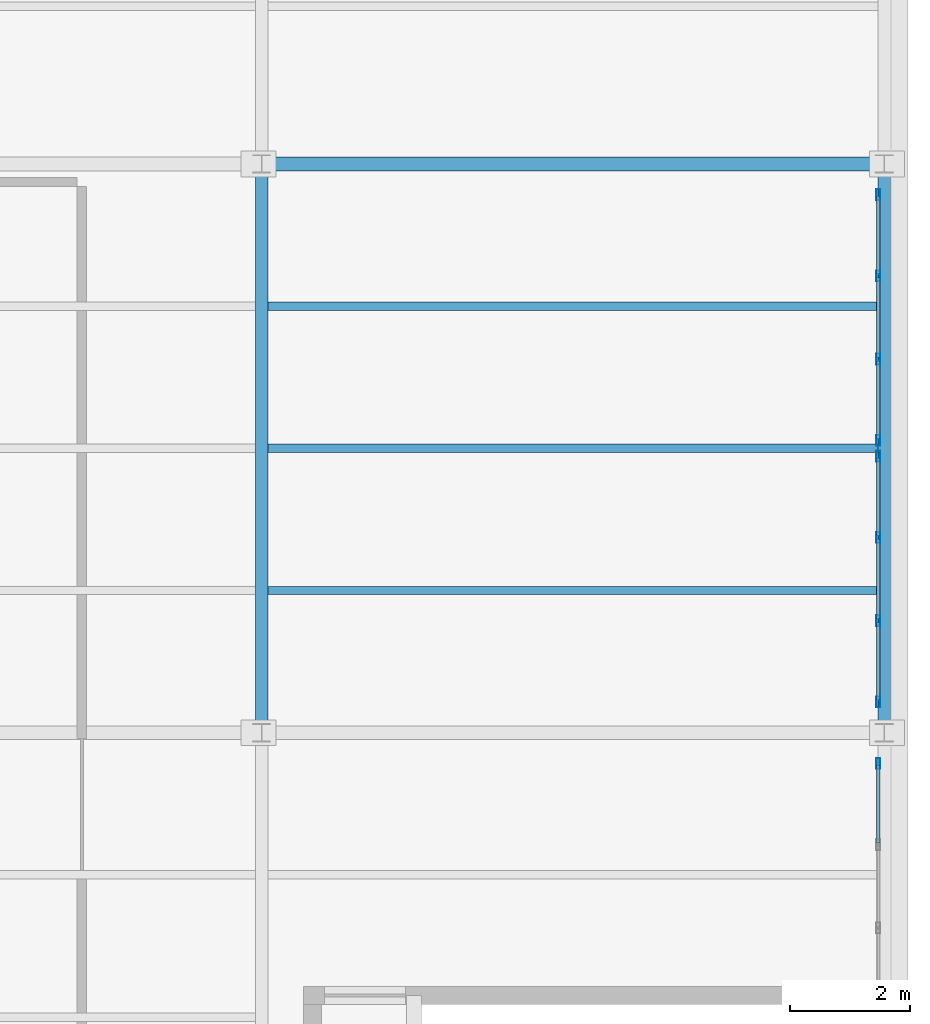
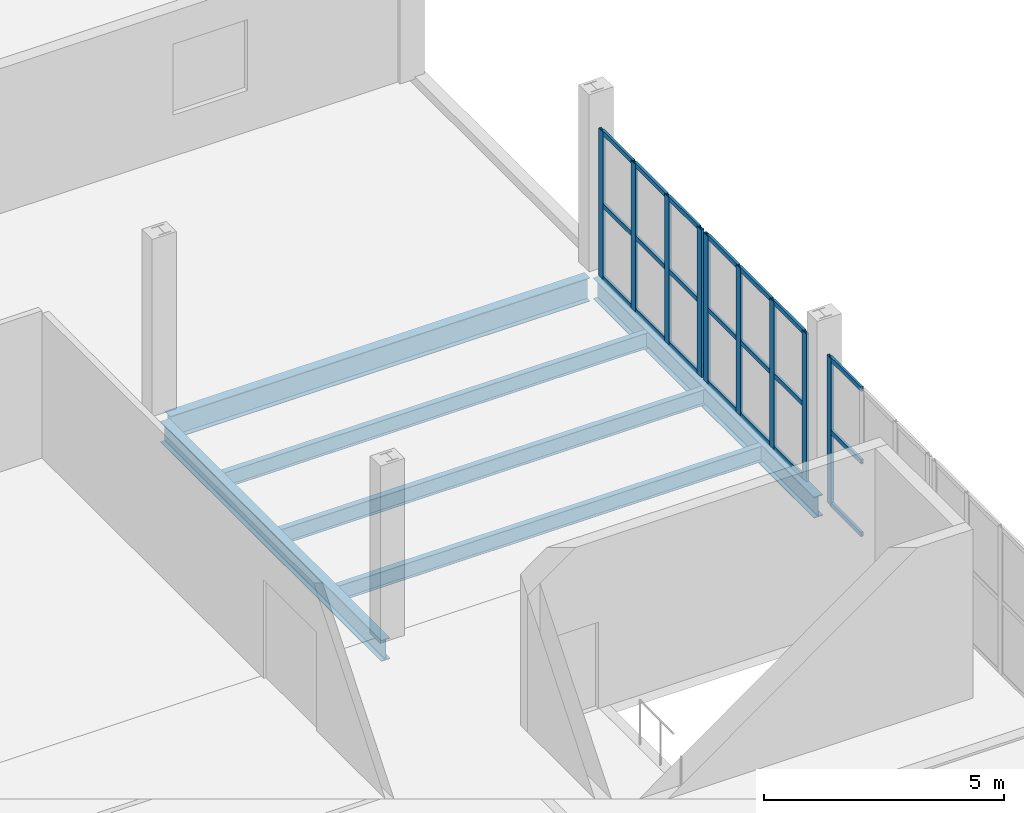
# One storey, part 98 of 156: 30 members, 6 beams, 3 elements without a shape of their own.
"""IFC4 building model written with IfcOpenShell, lengths in metres."""

from ifc_helpers import new_model, si_unit, direction, frame, origin, origin_2d, place, context, subcontext, project, spatial, hollow_rectangle, i_section, extrude, material, material_profile, profile_set, type_object, element, aggregate, save


model = new_model("IFC4")

# Units and contexts
model_context = context("Model", 3, precision=1e-05, world=origin(), true_north=direction((0.0, 1.0)))
body_context = subcontext(model_context, "Body", "Model", "MODEL_VIEW")
ifc_project = project(units=[si_unit("LENGTHUNIT", "METRE"), si_unit("AREAUNIT", "SQUARE_METRE"), si_unit("VOLUMEUNIT", "CUBIC_METRE"), si_unit("PLANEANGLEUNIT", "RADIAN"), si_unit("MASSUNIT", "GRAM", prefix="KILO")], contexts=[model_context])

# Site, building, storey
site_placement = place(None, origin())
site = spatial("IfcSite", under=ifc_project, at=site_placement, CompositionType="ELEMENT")
building_placement = place(site_placement, origin())
building = spatial("IfcBuilding", under=site, at=building_placement, Name="Caurita Quay Ferry Terminal", CompositionType="ELEMENT")
storey_placement = place(building_placement, frame((0.0, 0.0, 5.39990234375)))
storey = spatial("IfcBuildingStorey", under=building, at=storey_placement, Name="L01", CompositionType="ELEMENT", Elevation=5.39990234375)

# Beams
ifc_material_1 = material(Name="Structural steel ASTM A992 Gr. 50", Category="steel")
ifc_material_profile_1 = material_profile(ifc_material_1, i_section(OverallWidth=0.210693359375, OverallDepth=0.53857421875, WebThickness=0.01171875, FlangeThickness=0.018798828125, FilletRadius=0.013916015625, at=origin_2d()), Name="W21X73")
ifc_profile_set_1 = profile_set([ifc_material_profile_1], Name="Structural steel ASTM A992 Gr. 50")
beam_type_1 = type_object("IfcBeamType", Name="BM-GR-W21A", PredefinedType="BEAM", material=ifc_profile_set_1)
for number, where, z_axis, x_axis, name in (
    (1, (163.60009765625, 53.3544921875, -0.504150390625), (0.0, 1.0, 0.0), (-1.0, 0.0, 0.0), "L01 Beam BM-V3H-L01-Y-1636-534"),
    (2, (174.0, 53.3544921875, -0.504150390625), (0.0, 1.0, 0.0), (-1.0, 0.0, 0.0), "L01 Beam BM-V3H-L01-Y-1740-534"),
):
    element("IfcBeam", number, at=place(storey_placement, frame(where, z_axis=z_axis, x_axis=x_axis)), inside=storey, type_object=beam_type_1, Name=name, PredefinedType="BEAM", context=body_context, shape_type="SweptSolid", body=[
        extrude(i_section(OverallWidth=0.210693359375, OverallDepth=0.53857421875, WebThickness=0.01171875, FlangeThickness=0.018798828125, FilletRadius=0.013916015625, at=origin_2d()), origin(), (0.0, 0.0, 1.0), 9.191162109375),
    ])
ifc_material_profile_2 = material_profile(ifc_material_1, i_section(OverallWidth=0.22802734375, OverallDepth=0.60205078125, WebThickness=0.010498046875, FlangeThickness=0.014892578125, at=origin_2d()), Name="W24X68")
ifc_profile_set_2 = profile_set([ifc_material_profile_2], Name="Structural steel ASTM A992 Gr. 50")
beam_type_2 = type_object("IfcBeamType", Name="BM-GR-W24C", PredefinedType="BEAM", material=ifc_profile_set_2)
beam_placement = place(storey_placement, frame((163.757568359375, 62.699951171875, -0.535888671875), z_axis=(1.0, 0.0, 0.0), x_axis=(0.0, 1.0, 0.0)))
element("IfcBeam", 3, at=beam_placement, inside=storey, type_object=beam_type_2, Name="L01 Beam BM-V3H-L01-X-1638-627", PredefinedType="BEAM", context=body_context, shape_type="SweptSolid", body=[
    extrude(i_section(OverallWidth=0.22802734375, OverallDepth=0.60205078125, WebThickness=0.010498046875, FlangeThickness=0.014892578125, at=origin_2d()), origin(), (0.0, 0.0, 1.0), 10.084716796875),
])
ifc_material_profile_3 = material_profile(ifc_material_1, i_section(OverallWidth=0.139892578125, OverallDepth=0.39892578125, WebThickness=0.00634765625, FlangeThickness=0.0087890625, at=origin_2d()), Name="W16X26")
ifc_profile_set_3 = profile_set([ifc_material_profile_3], Name="Structural steel ASTM A992 Gr. 50")
beam_type_3 = type_object("IfcBeamType", Name="BM-JS-W16C", PredefinedType="JOIST", material=ifc_profile_set_3)
for number, where, z_axis, x_axis, name in (
    (4, (163.705322265625, 55.574951171875, -0.434326171875), (1.0, 0.0, 0.0), (0.0, 1.0, 0.0), "L01 Beam JS-V3H-L01-036"),
    (5, (163.705322265625, 57.949951171875, -0.434326171875), (1.0, 0.0, 0.0), (0.0, 1.0, 0.0), "L01 Beam JS-V3H-L01-037"),
    (6, (163.705322265625, 60.324951171875, -0.434326171875), (1.0, 0.0, 0.0), (0.0, 1.0, 0.0), "L01 Beam JS-V3H-L01-038"),
):
    element("IfcBeam", number, at=place(storey_placement, frame(where, z_axis=z_axis, x_axis=x_axis)), inside=storey, type_object=beam_type_3, Name=name, PredefinedType="JOIST", context=body_context, shape_type="SweptSolid", body=[
        extrude(i_section(OverallWidth=0.139892578125, OverallDepth=0.39892578125, WebThickness=0.00634765625, FlangeThickness=0.0087890625, at=origin_2d()), origin(), (0.0, 0.0, 1.0), 10.189208984375),
    ])

# Curtain wall, member
ifc_material_2 = material(Name="Laminated solar-control insulated glass", Category="glass")
curtain_wall_type = type_object("IfcCurtainWallType", Name="CW-SYS-19", PredefinedType="NOTDEFINED", material=ifc_material_2)
curtain_wall_1_placement = place(storey_placement, origin())
curtain_wall_1 = element("IfcCurtainWall", 7, at=curtain_wall_1_placement, inside=storey, type_object=curtain_wall_type, Name="Boarding Headhouse East Curtain Wall 139", PredefinedType="NOTDEFINED")
ifc_material_3 = material(Name="Anodized aluminium 6063-T6", Category="aluminium")
ifc_material_profile_4 = material_profile(ifc_material_3, hollow_rectangle(XDim=0.06494140625, YDim=0.179931640625, WallThickness=0.00390625, at=origin_2d()), Name="ALU-MUL-65X180")
ifc_profile_set_4 = profile_set([ifc_material_profile_4], Name="Anodized aluminium 6063-T6")
member_type_1 = type_object("IfcMemberType", Name="CW-MUL-180", PredefinedType="MULLION", material=ifc_profile_set_4)
member_1_placement = place(storey_placement, frame((173.89990234375, 52.6875, 0.0), z_axis=(0.0, 0.0, 1.0), x_axis=(-1.0, 0.0, 0.0)))
member_1 = element("IfcMember", 8, at=member_1_placement, type_object=member_type_1, Name="CW-V3E-139 Mullion 4", PredefinedType="MULLION", context=body_context, shape_type="SweptSolid", body=[
    extrude(hollow_rectangle(XDim=0.06494140625, YDim=0.179931640625, WallThickness=0.00390625, at=origin_2d()), origin(), (0.0, 0.0, 1.0), 3.75),
])

# Curtain wall, members
curtain_wall_2_placement = place(storey_placement, origin())
curtain_wall_2 = element("IfcCurtainWall", 9, at=curtain_wall_2_placement, inside=storey, type_object=curtain_wall_type, Name="Boarding Headhouse East Curtain Wall 140", PredefinedType="NOTDEFINED")
member_2_placement = place(storey_placement, frame((173.89990234375, 53.71240234375, 0.0), z_axis=(0.0, 0.0, 1.0), x_axis=(-1.0, 0.0, 0.0)))
member_2 = element("IfcMember", 10, at=member_2_placement, type_object=member_type_1, Name="CW-V3E-140 Mullion 1", PredefinedType="MULLION", context=body_context, shape_type="SweptSolid", body=[
    extrude(hollow_rectangle(XDim=0.06494140625, YDim=0.179931640625, WallThickness=0.00390625, at=origin_2d()), origin(), (0.0, 0.0, 1.0), 3.75),
])
member_3_placement = place(storey_placement, frame((173.89990234375, 55.070068359375, 0.0), z_axis=(0.0, 0.0, 1.0), x_axis=(-1.0, 0.0, 0.0)))
member_3 = element("IfcMember", 11, at=member_3_placement, type_object=member_type_1, Name="CW-V3E-140 Mullion 2", PredefinedType="MULLION", context=body_context, shape_type="SweptSolid", body=[
    extrude(hollow_rectangle(XDim=0.06494140625, YDim=0.179931640625, WallThickness=0.00390625, at=origin_2d()), origin(), (0.0, 0.0, 1.0), 3.75),
])
member_4_placement = place(storey_placement, frame((173.89990234375, 56.4599609375, 0.0), z_axis=(0.0, 0.0, 1.0), x_axis=(-1.0, 0.0, 0.0)))
member_4 = element("IfcMember", 12, at=member_4_placement, type_object=member_type_1, Name="CW-V3E-140 Mullion 3", PredefinedType="MULLION", context=body_context, shape_type="SweptSolid", body=[
    extrude(hollow_rectangle(XDim=0.06494140625, YDim=0.179931640625, WallThickness=0.00390625, at=origin_2d()), origin(), (0.0, 0.0, 1.0), 3.75),
])
member_5_placement = place(storey_placement, frame((173.89990234375, 57.8173828125, 0.0), z_axis=(0.0, 0.0, 1.0), x_axis=(-1.0, 0.0, 0.0)))
member_5 = element("IfcMember", 13, at=member_5_placement, type_object=member_type_1, Name="CW-V3E-140 Mullion 4", PredefinedType="MULLION", context=body_context, shape_type="SweptSolid", body=[
    extrude(hollow_rectangle(XDim=0.06494140625, YDim=0.179931640625, WallThickness=0.00390625, at=origin_2d()), origin(), (0.0, 0.0, 1.0), 3.75),
])

curtain_wall_3_placement = place(storey_placement, origin())
curtain_wall_3 = element("IfcCurtainWall", 14, at=curtain_wall_3_placement, inside=storey, type_object=curtain_wall_type, Name="Boarding Headhouse East Curtain Wall 141", PredefinedType="NOTDEFINED")
member_6_placement = place(storey_placement, frame((173.89990234375, 58.08251953125, 0.0), z_axis=(0.0, 0.0, 1.0), x_axis=(-1.0, 0.0, 0.0)))
member_6 = element("IfcMember", 15, at=member_6_placement, type_object=member_type_1, Name="CW-V3E-141 Mullion 1", PredefinedType="MULLION", context=body_context, shape_type="SweptSolid", body=[
    extrude(hollow_rectangle(XDim=0.06494140625, YDim=0.179931640625, WallThickness=0.00390625, at=origin_2d()), origin(), (0.0, 0.0, 1.0), 3.75),
])
member_7_placement = place(storey_placement, frame((173.89990234375, 59.43994140625, 0.0), z_axis=(0.0, 0.0, 1.0), x_axis=(-1.0, 0.0, 0.0)))
member_7 = element("IfcMember", 16, at=member_7_placement, type_object=member_type_1, Name="CW-V3E-141 Mullion 2", PredefinedType="MULLION", context=body_context, shape_type="SweptSolid", body=[
    extrude(hollow_rectangle(XDim=0.06494140625, YDim=0.179931640625, WallThickness=0.00390625, at=origin_2d()), origin(), (0.0, 0.0, 1.0), 3.75),
])
member_8_placement = place(storey_placement, frame((173.89990234375, 60.830078125, 0.0), z_axis=(0.0, 0.0, 1.0), x_axis=(-1.0, 0.0, 0.0)))
member_8 = element("IfcMember", 17, at=member_8_placement, type_object=member_type_1, Name="CW-V3E-141 Mullion 3", PredefinedType="MULLION", context=body_context, shape_type="SweptSolid", body=[
    extrude(hollow_rectangle(XDim=0.06494140625, YDim=0.179931640625, WallThickness=0.00390625, at=origin_2d()), origin(), (0.0, 0.0, 1.0), 3.75),
])
member_9_placement = place(storey_placement, frame((173.89990234375, 62.1875, 0.0), z_axis=(0.0, 0.0, 1.0), x_axis=(-1.0, 0.0, 0.0)))
member_9 = element("IfcMember", 18, at=member_9_placement, type_object=member_type_1, Name="CW-V3E-141 Mullion 4", PredefinedType="MULLION", context=body_context, shape_type="SweptSolid", body=[
    extrude(hollow_rectangle(XDim=0.06494140625, YDim=0.179931640625, WallThickness=0.00390625, at=origin_2d()), origin(), (0.0, 0.0, 1.0), 3.75),
])

# Member
ifc_material_profile_5 = material_profile(ifc_material_3, hollow_rectangle(XDim=0.06005859375, YDim=0.114990234375, WallThickness=0.00341796875, at=origin_2d()), Name="ALU-TRN-60X115")
ifc_profile_set_5 = profile_set([ifc_material_profile_5], Name="Anodized aluminium 6063-T6")
member_type_2 = type_object("IfcMemberType", Name="CW-TRN-115", PredefinedType="USERDEFINED", material=ifc_profile_set_5)
member_10_placement = place(storey_placement, frame((173.89990234375, 51.360595703125, 0.030029296875), z_axis=(0.0, 1.0, 0.0), x_axis=(-1.0, 0.0, 0.0)))
member_10 = element("IfcMember", 19, at=member_10_placement, type_object=member_type_2, Name="CW-V3E-139 Transom 7", ObjectType="TRANSOM", PredefinedType="USERDEFINED", context=body_context, shape_type="SweptSolid", body=[
    extrude(hollow_rectangle(XDim=0.06005859375, YDim=0.114990234375, WallThickness=0.00341796875, at=origin_2d()), origin(), (0.0, 0.0, 1.0), 1.29638671875),
])

member_11_placement = place(storey_placement, frame((173.89990234375, 51.360595703125, 1.875), z_axis=(0.0, 1.0, 0.0), x_axis=(-1.0, 0.0, 0.0)))
member_11 = element("IfcMember", 20, at=member_11_placement, type_object=member_type_2, Name="CW-V3E-139 Transom 8", ObjectType="TRANSOM", PredefinedType="USERDEFINED", context=body_context, shape_type="SweptSolid", body=[
    extrude(hollow_rectangle(XDim=0.06005859375, YDim=0.114990234375, WallThickness=0.00341796875, at=origin_2d()), origin(), (0.0, 0.0, 1.0), 1.29638671875),
])

member_12_placement = place(storey_placement, frame((173.89990234375, 51.360595703125, 3.72021484375), z_axis=(0.0, 1.0, 0.0), x_axis=(-1.0, 0.0, 0.0)))
member_12 = element("IfcMember", 21, at=member_12_placement, type_object=member_type_2, Name="CW-V3E-139 Transom 9", ObjectType="TRANSOM", PredefinedType="USERDEFINED", context=body_context, shape_type="SweptSolid", body=[
    extrude(hollow_rectangle(XDim=0.06005859375, YDim=0.114990234375, WallThickness=0.00341796875, at=origin_2d()), origin(), (0.0, 0.0, 1.0), 1.29638671875),
])

aggregate(curtain_wall_1, [member_1, member_10, member_11, member_12])

member_13_placement = place(storey_placement, frame((173.89990234375, 53.742919921875, 0.030029296875), z_axis=(0.0, 1.0, 0.0), x_axis=(-1.0, 0.0, 0.0)))
member_13 = element("IfcMember", 22, at=member_13_placement, type_object=member_type_2, Name="CW-V3E-140 Transom 1", ObjectType="TRANSOM", PredefinedType="USERDEFINED", context=body_context, shape_type="SweptSolid", body=[
    extrude(hollow_rectangle(XDim=0.06005859375, YDim=0.114990234375, WallThickness=0.00341796875, at=origin_2d()), origin(), (0.0, 0.0, 1.0), 1.296630859375),
])

member_14_placement = place(storey_placement, frame((173.89990234375, 53.742919921875, 1.875), z_axis=(0.0, 1.0, 0.0), x_axis=(-1.0, 0.0, 0.0)))
member_14 = element("IfcMember", 23, at=member_14_placement, type_object=member_type_2, Name="CW-V3E-140 Transom 2", ObjectType="TRANSOM", PredefinedType="USERDEFINED", context=body_context, shape_type="SweptSolid", body=[
    extrude(hollow_rectangle(XDim=0.06005859375, YDim=0.114990234375, WallThickness=0.00341796875, at=origin_2d()), origin(), (0.0, 0.0, 1.0), 1.296630859375),
])

member_15_placement = place(storey_placement, frame((173.89990234375, 53.742919921875, 3.72021484375), z_axis=(0.0, 1.0, 0.0), x_axis=(-1.0, 0.0, 0.0)))
member_15 = element("IfcMember", 24, at=member_15_placement, type_object=member_type_2, Name="CW-V3E-140 Transom 3", ObjectType="TRANSOM", PredefinedType="USERDEFINED", context=body_context, shape_type="SweptSolid", body=[
    extrude(hollow_rectangle(XDim=0.06005859375, YDim=0.114990234375, WallThickness=0.00341796875, at=origin_2d()), origin(), (0.0, 0.0, 1.0), 1.296630859375),
])

member_16_placement = place(storey_placement, frame((173.89990234375, 55.1005859375, 0.030029296875), z_axis=(0.0, 1.0, 0.0), x_axis=(-1.0, 0.0, 0.0)))
member_16 = element("IfcMember", 25, at=member_16_placement, type_object=member_type_2, Name="CW-V3E-140 Transom 4", ObjectType="TRANSOM", PredefinedType="USERDEFINED", context=body_context, shape_type="SweptSolid", body=[
    extrude(hollow_rectangle(XDim=0.06005859375, YDim=0.114990234375, WallThickness=0.00341796875, at=origin_2d()), origin(), (0.0, 0.0, 1.0), 1.328857421875),
])

member_17_placement = place(storey_placement, frame((173.89990234375, 55.1005859375, 1.875), z_axis=(0.0, 1.0, 0.0), x_axis=(-1.0, 0.0, 0.0)))
member_17 = element("IfcMember", 26, at=member_17_placement, type_object=member_type_2, Name="CW-V3E-140 Transom 5", ObjectType="TRANSOM", PredefinedType="USERDEFINED", context=body_context, shape_type="SweptSolid", body=[
    extrude(hollow_rectangle(XDim=0.06005859375, YDim=0.114990234375, WallThickness=0.00341796875, at=origin_2d()), origin(), (0.0, 0.0, 1.0), 1.328857421875),
])

member_18_placement = place(storey_placement, frame((173.89990234375, 55.1005859375, 3.72021484375), z_axis=(0.0, 1.0, 0.0), x_axis=(-1.0, 0.0, 0.0)))
member_18 = element("IfcMember", 27, at=member_18_placement, type_object=member_type_2, Name="CW-V3E-140 Transom 6", ObjectType="TRANSOM", PredefinedType="USERDEFINED", context=body_context, shape_type="SweptSolid", body=[
    extrude(hollow_rectangle(XDim=0.06005859375, YDim=0.114990234375, WallThickness=0.00341796875, at=origin_2d()), origin(), (0.0, 0.0, 1.0), 1.328857421875),
])

member_19_placement = place(storey_placement, frame((173.89990234375, 56.490478515625, 0.030029296875), z_axis=(0.0, 1.0, 0.0), x_axis=(-1.0, 0.0, 0.0)))
member_19 = element("IfcMember", 28, at=member_19_placement, type_object=member_type_2, Name="CW-V3E-140 Transom 7", ObjectType="TRANSOM", PredefinedType="USERDEFINED", context=body_context, shape_type="SweptSolid", body=[
    extrude(hollow_rectangle(XDim=0.06005859375, YDim=0.114990234375, WallThickness=0.00341796875, at=origin_2d()), origin(), (0.0, 0.0, 1.0), 1.296630859375),
])

member_20_placement = place(storey_placement, frame((173.89990234375, 56.490478515625, 1.875), z_axis=(0.0, 1.0, 0.0), x_axis=(-1.0, 0.0, 0.0)))
member_20 = element("IfcMember", 29, at=member_20_placement, type_object=member_type_2, Name="CW-V3E-140 Transom 8", ObjectType="TRANSOM", PredefinedType="USERDEFINED", context=body_context, shape_type="SweptSolid", body=[
    extrude(hollow_rectangle(XDim=0.06005859375, YDim=0.114990234375, WallThickness=0.00341796875, at=origin_2d()), origin(), (0.0, 0.0, 1.0), 1.296630859375),
])

member_21_placement = place(storey_placement, frame((173.89990234375, 56.490478515625, 3.72021484375), z_axis=(0.0, 1.0, 0.0), x_axis=(-1.0, 0.0, 0.0)))
member_21 = element("IfcMember", 30, at=member_21_placement, type_object=member_type_2, Name="CW-V3E-140 Transom 9", ObjectType="TRANSOM", PredefinedType="USERDEFINED", context=body_context, shape_type="SweptSolid", body=[
    extrude(hollow_rectangle(XDim=0.06005859375, YDim=0.114990234375, WallThickness=0.00341796875, at=origin_2d()), origin(), (0.0, 0.0, 1.0), 1.296630859375),
])

aggregate(curtain_wall_2, [member_2, member_3, member_4, member_5, member_13, member_14, member_15, member_16, member_17, member_18, member_19, member_20, member_21])

member_22_placement = place(storey_placement, frame((173.89990234375, 58.113037109375, 0.030029296875), z_axis=(0.0, 1.0, 0.0), x_axis=(-1.0, 0.0, 0.0)))
member_22 = element("IfcMember", 31, at=member_22_placement, type_object=member_type_2, Name="CW-V3E-141 Transom 1", ObjectType="TRANSOM", PredefinedType="USERDEFINED", context=body_context, shape_type="SweptSolid", body=[
    extrude(hollow_rectangle(XDim=0.06005859375, YDim=0.114990234375, WallThickness=0.00341796875, at=origin_2d()), origin(), (0.0, 0.0, 1.0), 1.29638671875),
])

member_23_placement = place(storey_placement, frame((173.89990234375, 58.113037109375, 1.875), z_axis=(0.0, 1.0, 0.0), x_axis=(-1.0, 0.0, 0.0)))
member_23 = element("IfcMember", 32, at=member_23_placement, type_object=member_type_2, Name="CW-V3E-141 Transom 2", ObjectType="TRANSOM", PredefinedType="USERDEFINED", context=body_context, shape_type="SweptSolid", body=[
    extrude(hollow_rectangle(XDim=0.06005859375, YDim=0.114990234375, WallThickness=0.00341796875, at=origin_2d()), origin(), (0.0, 0.0, 1.0), 1.29638671875),
])

member_24_placement = place(storey_placement, frame((173.89990234375, 58.113037109375, 3.72021484375), z_axis=(0.0, 1.0, 0.0), x_axis=(-1.0, 0.0, 0.0)))
member_24 = element("IfcMember", 33, at=member_24_placement, type_object=member_type_2, Name="CW-V3E-141 Transom 3", ObjectType="TRANSOM", PredefinedType="USERDEFINED", context=body_context, shape_type="SweptSolid", body=[
    extrude(hollow_rectangle(XDim=0.06005859375, YDim=0.114990234375, WallThickness=0.00341796875, at=origin_2d()), origin(), (0.0, 0.0, 1.0), 1.29638671875),
])

member_25_placement = place(storey_placement, frame((173.89990234375, 59.470458984375, 0.030029296875), z_axis=(0.0, 1.0, 0.0), x_axis=(-1.0, 0.0, 0.0)))
member_25 = element("IfcMember", 34, at=member_25_placement, type_object=member_type_2, Name="CW-V3E-141 Transom 4", ObjectType="TRANSOM", PredefinedType="USERDEFINED", context=body_context, shape_type="SweptSolid", body=[
    extrude(hollow_rectangle(XDim=0.06005859375, YDim=0.114990234375, WallThickness=0.00341796875, at=origin_2d()), origin(), (0.0, 0.0, 1.0), 1.3291015625),
])

member_26_placement = place(storey_placement, frame((173.89990234375, 59.470458984375, 1.875), z_axis=(0.0, 1.0, 0.0), x_axis=(-1.0, 0.0, 0.0)))
member_26 = element("IfcMember", 35, at=member_26_placement, type_object=member_type_2, Name="CW-V3E-141 Transom 5", ObjectType="TRANSOM", PredefinedType="USERDEFINED", context=body_context, shape_type="SweptSolid", body=[
    extrude(hollow_rectangle(XDim=0.06005859375, YDim=0.114990234375, WallThickness=0.00341796875, at=origin_2d()), origin(), (0.0, 0.0, 1.0), 1.3291015625),
])

member_27_placement = place(storey_placement, frame((173.89990234375, 59.470458984375, 3.72021484375), z_axis=(0.0, 1.0, 0.0), x_axis=(-1.0, 0.0, 0.0)))
member_27 = element("IfcMember", 36, at=member_27_placement, type_object=member_type_2, Name="CW-V3E-141 Transom 6", ObjectType="TRANSOM", PredefinedType="USERDEFINED", context=body_context, shape_type="SweptSolid", body=[
    extrude(hollow_rectangle(XDim=0.06005859375, YDim=0.114990234375, WallThickness=0.00341796875, at=origin_2d()), origin(), (0.0, 0.0, 1.0), 1.3291015625),
])

member_28_placement = place(storey_placement, frame((173.89990234375, 60.860595703125, 0.030029296875), z_axis=(0.0, 1.0, 0.0), x_axis=(-1.0, 0.0, 0.0)))
member_28 = element("IfcMember", 37, at=member_28_placement, type_object=member_type_2, Name="CW-V3E-141 Transom 7", ObjectType="TRANSOM", PredefinedType="USERDEFINED", context=body_context, shape_type="SweptSolid", body=[
    extrude(hollow_rectangle(XDim=0.06005859375, YDim=0.114990234375, WallThickness=0.00341796875, at=origin_2d()), origin(), (0.0, 0.0, 1.0), 1.29638671875),
])

member_29_placement = place(storey_placement, frame((173.89990234375, 60.860595703125, 1.875), z_axis=(0.0, 1.0, 0.0), x_axis=(-1.0, 0.0, 0.0)))
member_29 = element("IfcMember", 38, at=member_29_placement, type_object=member_type_2, Name="CW-V3E-141 Transom 8", ObjectType="TRANSOM", PredefinedType="USERDEFINED", context=body_context, shape_type="SweptSolid", body=[
    extrude(hollow_rectangle(XDim=0.06005859375, YDim=0.114990234375, WallThickness=0.00341796875, at=origin_2d()), origin(), (0.0, 0.0, 1.0), 1.29638671875),
])

member_30_placement = place(storey_placement, frame((173.89990234375, 60.860595703125, 3.72021484375), z_axis=(0.0, 1.0, 0.0), x_axis=(-1.0, 0.0, 0.0)))
member_30 = element("IfcMember", 39, at=member_30_placement, type_object=member_type_2, Name="CW-V3E-141 Transom 9", ObjectType="TRANSOM", PredefinedType="USERDEFINED", context=body_context, shape_type="SweptSolid", body=[
    extrude(hollow_rectangle(XDim=0.06005859375, YDim=0.114990234375, WallThickness=0.00341796875, at=origin_2d()), origin(), (0.0, 0.0, 1.0), 1.29638671875),
])

aggregate(curtain_wall_3, [member_6, member_7, member_8, member_9, member_22, member_23, member_24, member_25, member_26, member_27, member_28, member_29, member_30])

save(model, "model.ifc")
